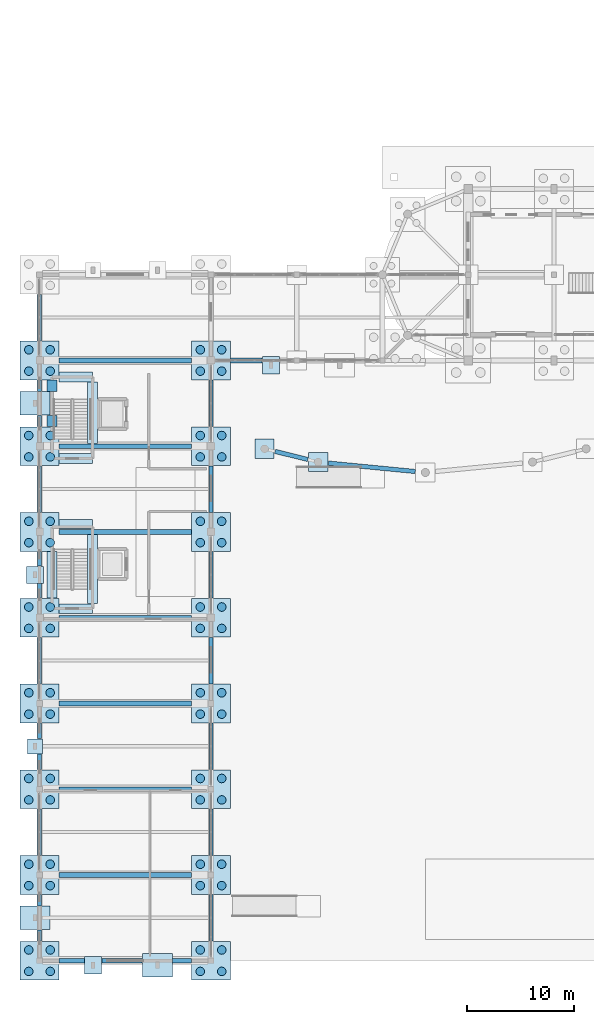
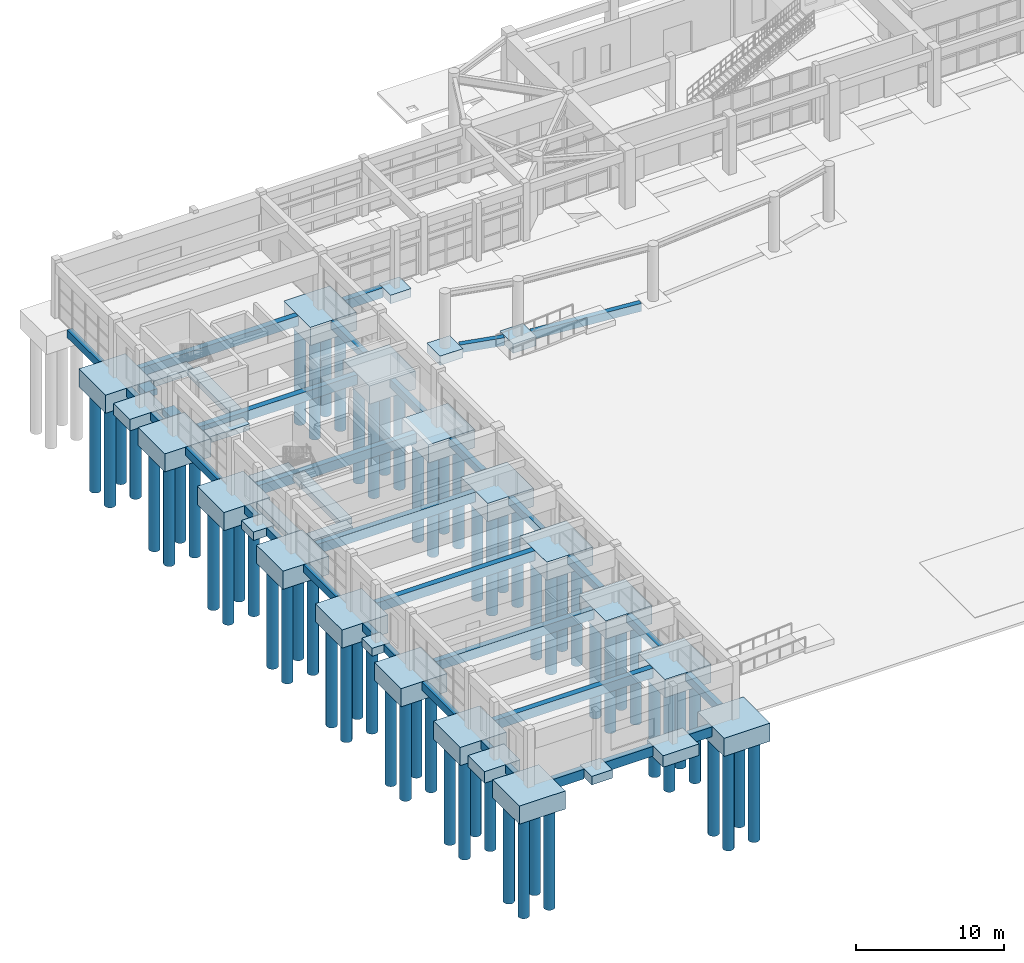
# One storey, part 1 of 68: 66 footings, 64 piles.
"""IFC4 building model written with IfcOpenShell, lengths in metres."""

from ifc_helpers import new_model, si_unit, direction, frame, origin, origin_2d, place, context, subcontext, project, spatial, polyline, rectangle, circle, outline, extrude, material, material_profile, profile_set, type_object, element, save


model = new_model("IFC4")

# Units and contexts
model_context = context("Model", 3, precision=1e-05, world=origin(), true_north=direction((0.0, 1.0)))
body_context = subcontext(model_context, "Body", "Model", "MODEL_VIEW")
ifc_project = project(units=[si_unit("LENGTHUNIT", "METRE"), si_unit("AREAUNIT", "SQUARE_METRE"), si_unit("VOLUMEUNIT", "CUBIC_METRE"), si_unit("PLANEANGLEUNIT", "RADIAN"), si_unit("MASSUNIT", "GRAM", prefix="KILO")], contexts=[model_context])

# Site, building, storey
site_placement = place(None, origin())
site = spatial("IfcSite", under=ifc_project, at=site_placement, CompositionType="ELEMENT")
building_placement = place(site_placement, origin())
building = spatial("IfcBuilding", under=site, at=building_placement, Name="Serraluz Foothill Cableway Terminal", CompositionType="ELEMENT")
storey_placement = place(building_placement, origin())
storey = spatial("IfcBuildingStorey", under=building, at=storey_placement, Name="L00", CompositionType="ELEMENT", Elevation=0.0)

# Footings
ifc_material_1 = material(Name="Concrete C35/45 (f'c 35 MPa)", Category="concrete")
ifc_material_profile_1 = material_profile(ifc_material_1, rectangle(XDim=0.39990234375, YDim=0.64990234375, at=origin_2d()), Name="RC 400x650")
ifc_profile_set_1 = profile_set([ifc_material_profile_1], Name="Concrete C35/45 (f'c 35 MPa)")
footing_type_1 = type_object("IfcFootingType", Name="TYP-FB-400X650", PredefinedType="FOOTING_BEAM", material=ifc_profile_set_1)
for number, where, z_axis, x_axis, name in (
    (1, (0.0, 1.823974609375, -0.324951171875), (0.0, 1.0, 0.0), (-1.0, 0.0, 0.0), "Seismic Tie Footing Beam FB-112"),
    (2, (0.0, 5.1240234375, -0.324951171875), (0.0, 1.0, 0.0), (-1.0, 0.0, 0.0), "Seismic Tie Footing Beam FB-113"),
):
    element("IfcFooting", number, at=place(storey_placement, frame(where, z_axis=z_axis, x_axis=x_axis)), inside=storey, type_object=footing_type_1, Name=name, PredefinedType="FOOTING_BEAM", context=body_context, shape_type="SweptSolid", body=[
        extrude(rectangle(XDim=0.39990234375, YDim=0.64990234375, at=origin_2d()), origin(), (0.0, 0.0, 1.0), 1.052001953125),
    ])
footing_1_placement = place(storey_placement, frame((0.0, 9.823974609375, -0.324951171875), z_axis=(0.0, 1.0, 0.0), x_axis=(-1.0, 0.0, 0.0)))
element("IfcFooting", 3, at=footing_1_placement, inside=storey, type_object=footing_type_1, Name="Seismic Tie Footing Beam FB-114", PredefinedType="FOOTING_BEAM", context=body_context, shape_type="SweptSolid", body=[
    extrude(rectangle(XDim=0.39990234375, YDim=0.64990234375, at=origin_2d()), origin(), (0.0, 0.0, 1.0), 4.35205078125),
])
for number, where, z_axis, x_axis, name in (
    (4, (0.0, 17.823974609375, -0.324951171875), (0.0, 1.0, 0.0), (-1.0, 0.0, 0.0), "Seismic Tie Footing Beam FB-115"),
    (5, (0.0, 20.72412109375, -0.324951171875), (0.0, 1.0, 0.0), (-1.0, 0.0, 0.0), "Seismic Tie Footing Beam FB-116"),
):
    element("IfcFooting", number, at=place(storey_placement, frame(where, z_axis=z_axis, x_axis=x_axis)), inside=storey, type_object=footing_type_1, Name=name, PredefinedType="FOOTING_BEAM", context=body_context, shape_type="SweptSolid", body=[
        extrude(rectangle(XDim=0.39990234375, YDim=0.64990234375, at=origin_2d()), origin(), (0.0, 0.0, 1.0), 1.451904296875),
    ])
footing_2_placement = place(storey_placement, frame((0.0, 25.823974609375, -0.324951171875), z_axis=(0.0, 1.0, 0.0), x_axis=(-1.0, 0.0, 0.0)))
element("IfcFooting", 6, at=footing_2_placement, inside=storey, type_object=footing_type_1, Name="Seismic Tie Footing Beam FB-117", PredefinedType="FOOTING_BEAM", context=body_context, shape_type="SweptSolid", body=[
    extrude(rectangle(XDim=0.39990234375, YDim=0.64990234375, at=origin_2d()), origin(), (0.0, 0.0, 1.0), 4.35205078125),
])
for number, where, z_axis, x_axis, name in (
    (7, (0.0, 33.823974609375, -0.324951171875), (0.0, 1.0, 0.0), (-1.0, 0.0, 0.0), "Seismic Tie Footing Beam FB-118"),
    (8, (0.0, 36.823974609375, -0.324951171875), (0.0, 1.0, 0.0), (-1.0, 0.0, 0.0), "Seismic Tie Footing Beam FB-119"),
):
    element("IfcFooting", number, at=place(storey_placement, frame(where, z_axis=z_axis, x_axis=x_axis)), inside=storey, type_object=footing_type_1, Name=name, PredefinedType="FOOTING_BEAM", context=body_context, shape_type="SweptSolid", body=[
        extrude(rectangle(XDim=0.39990234375, YDim=0.64990234375, at=origin_2d()), origin(), (0.0, 0.0, 1.0), 1.35205078125),
    ])
footing_3_placement = place(storey_placement, frame((0.0, 41.823974609375, -0.324951171875), z_axis=(0.0, 1.0, 0.0), x_axis=(-1.0, 0.0, 0.0)))
element("IfcFooting", 9, at=footing_3_placement, inside=storey, type_object=footing_type_1, Name="Seismic Tie Footing Beam FB-120", PredefinedType="FOOTING_BEAM", context=body_context, shape_type="SweptSolid", body=[
    extrude(rectangle(XDim=0.39990234375, YDim=0.64990234375, at=origin_2d()), origin(), (0.0, 0.0, 1.0), 4.35205078125),
])
for number, where, z_axis, x_axis, name in (
    (10, (0.0, 49.823974609375, -0.324951171875), (0.0, 1.0, 0.0), (-1.0, 0.0, 0.0), "Seismic Tie Footing Beam FB-121"),
    (11, (0.0, 53.1240234375, -0.324951171875), (0.0, 1.0, 0.0), (-1.0, 0.0, 0.0), "Seismic Tie Footing Beam FB-122"),
):
    element("IfcFooting", number, at=place(storey_placement, frame(where, z_axis=z_axis, x_axis=x_axis)), inside=storey, type_object=footing_type_1, Name=name, PredefinedType="FOOTING_BEAM", context=body_context, shape_type="SweptSolid", body=[
        extrude(rectangle(XDim=0.39990234375, YDim=0.64990234375, at=origin_2d()), origin(), (0.0, 0.0, 1.0), 1.052001953125),
    ])
for number, where, z_axis, x_axis, name in (
    (12, (0.0, 57.823974609375, -0.324951171875), (0.0, 1.0, 0.0), (-1.0, 0.0, 0.0), "Seismic Tie Footing Beam FB-123"),
    (13, (16.0, 1.823974609375, -0.324951171875), (0.0, 1.0, 0.0), (-1.0, 0.0, 0.0), "Seismic Tie Footing Beam FB-124"),
    (14, (16.0, 9.823974609375, -0.324951171875), (0.0, 1.0, 0.0), (-1.0, 0.0, 0.0), "Seismic Tie Footing Beam FB-125"),
    (15, (16.0, 17.823974609375, -0.324951171875), (0.0, 1.0, 0.0), (-1.0, 0.0, 0.0), "Seismic Tie Footing Beam FB-126"),
    (16, (16.0, 25.823974609375, -0.324951171875), (0.0, 1.0, 0.0), (-1.0, 0.0, 0.0), "Seismic Tie Footing Beam FB-127"),
    (17, (16.0, 33.823974609375, -0.324951171875), (0.0, 1.0, 0.0), (-1.0, 0.0, 0.0), "Seismic Tie Footing Beam FB-128"),
    (18, (16.0, 41.823974609375, -0.324951171875), (0.0, 1.0, 0.0), (-1.0, 0.0, 0.0), "Seismic Tie Footing Beam FB-129"),
    (19, (16.0, 49.823974609375, -0.324951171875), (0.0, 1.0, 0.0), (-1.0, 0.0, 0.0), "Seismic Tie Footing Beam FB-130"),
):
    element("IfcFooting", number, at=place(storey_placement, frame(where, z_axis=z_axis, x_axis=x_axis)), inside=storey, type_object=footing_type_1, Name=name, PredefinedType="FOOTING_BEAM", context=body_context, shape_type="SweptSolid", body=[
        extrude(rectangle(XDim=0.39990234375, YDim=0.64990234375, at=origin_2d()), origin(), (0.0, 0.0, 1.0), 4.35205078125),
    ])
footing_4_placement = place(storey_placement, frame((21.977294921875, 47.51806640625, -0.324951171875), z_axis=(0.970607565499, -0.240667724875, 0.0), x_axis=(0.240667724875, 0.970607565499, 0.0)))
element("IfcFooting", 20, at=footing_4_placement, inside=storey, type_object=footing_type_1, Name="Seismic Tie Footing Beam FB-CAN-01", PredefinedType="FOOTING_BEAM", context=body_context, shape_type="SweptSolid", body=[
    extrude(rectangle(XDim=0.39990234375, YDim=0.64990234375, at=origin_2d()), origin(), (0.0, 0.0, 1.0), 3.1376953125),
])
footing_5_placement = place(storey_placement, frame((26.945556640625, 46.4287109375, -0.324951171875), z_axis=(0.995324863023, -0.096583730762, 0.0), x_axis=(0.096583730762, 0.995324863023, 0.0)))
element("IfcFooting", 21, at=footing_5_placement, inside=storey, type_object=footing_type_1, Name="Seismic Tie Footing Beam FB-CAN-02", PredefinedType="FOOTING_BEAM", context=body_context, shape_type="SweptSolid", body=[
    extrude(rectangle(XDim=0.39990234375, YDim=0.64990234375, at=origin_2d()), origin(), (0.0, 0.0, 1.0), 8.14697265625),
])
ifc_material_profile_2 = material_profile(ifc_material_1, rectangle(XDim=0.449951171875, YDim=0.800048828125, at=origin_2d()), Name="RC 450x800")
ifc_profile_set_2 = profile_set([ifc_material_profile_2], Name="Concrete C35/45 (f'c 35 MPa)")
footing_type_2 = type_object("IfcFootingType", Name="TYP-FB-450X700", PredefinedType="FOOTING_BEAM", material=ifc_profile_set_2)
footing_6_placement = place(storey_placement, frame((1.823974609375, 0.0, -0.39990234375), z_axis=(1.0, 0.0, 0.0), x_axis=(0.0, 1.0, 0.0)))
element("IfcFooting", 22, at=footing_6_placement, inside=storey, type_object=footing_type_2, Name="Seismic Tie Footing Beam FB-028", PredefinedType="FOOTING_BEAM", context=body_context, shape_type="SweptSolid", body=[
    extrude(rectangle(XDim=0.449951171875, YDim=0.800048828125, at=origin_2d()), origin(), (0.0, 0.0, 1.0), 2.35205078125),
])
footing_7_placement = place(storey_placement, frame((5.823974609375, 0.0, -0.39990234375), z_axis=(1.0, 0.0, 0.0), x_axis=(0.0, 1.0, 0.0)))
element("IfcFooting", 23, at=footing_7_placement, inside=storey, type_object=footing_type_2, Name="Seismic Tie Footing Beam FB-029", PredefinedType="FOOTING_BEAM", context=body_context, shape_type="SweptSolid", body=[
    extrude(rectangle(XDim=0.449951171875, YDim=0.800048828125, at=origin_2d()), origin(), (0.0, 0.0, 1.0), 3.751953125),
])
footing_8_placement = place(storey_placement, frame((12.424072265625, 0.0, -0.39990234375), z_axis=(1.0, 0.0, 0.0), x_axis=(0.0, 1.0, 0.0)))
element("IfcFooting", 24, at=footing_8_placement, inside=storey, type_object=footing_type_2, Name="Seismic Tie Footing Beam FB-030", PredefinedType="FOOTING_BEAM", context=body_context, shape_type="SweptSolid", body=[
    extrude(rectangle(XDim=0.449951171875, YDim=0.800048828125, at=origin_2d()), origin(), (0.0, 0.0, 1.0), 1.751953125),
])
for number, where, z_axis, x_axis, name in (
    (25, (1.823974609375, 8.0, -0.39990234375), (1.0, 0.0, 0.0), (0.0, 1.0, 0.0), "Seismic Tie Footing Beam FB-037"),
    (26, (1.823974609375, 16.0, -0.39990234375), (1.0, 0.0, 0.0), (0.0, 1.0, 0.0), "Seismic Tie Footing Beam FB-038"),
    (27, (1.823974609375, 24.0, -0.39990234375), (1.0, 0.0, 0.0), (0.0, 1.0, 0.0), "Seismic Tie Footing Beam FB-048"),
    (28, (1.823974609375, 32.0, -0.39990234375), (1.0, 0.0, 0.0), (0.0, 1.0, 0.0), "Seismic Tie Footing Beam FB-050"),
    (29, (1.823974609375, 40.0, -0.39990234375), (1.0, 0.0, 0.0), (0.0, 1.0, 0.0), "Seismic Tie Footing Beam FB-052"),
    (30, (1.823974609375, 48.0, -0.39990234375), (1.0, 0.0, 0.0), (0.0, 1.0, 0.0), "Seismic Tie Footing Beam FB-059"),
    (31, (1.823974609375, 56.0, -0.39990234375), (1.0, 0.0, 0.0), (0.0, 1.0, 0.0), "Seismic Tie Footing Beam FB-061"),
):
    element("IfcFooting", number, at=place(storey_placement, frame(where, z_axis=z_axis, x_axis=x_axis)), inside=storey, type_object=footing_type_2, Name=name, PredefinedType="FOOTING_BEAM", context=body_context, shape_type="SweptSolid", body=[
        extrude(rectangle(XDim=0.449951171875, YDim=0.800048828125, at=origin_2d()), origin(), (0.0, 0.0, 1.0), 12.35205078125),
    ])
footing_9_placement = place(storey_placement, frame((17.823974609375, 56.0, -0.39990234375), z_axis=(1.0, 0.0, 0.0), x_axis=(0.0, 1.0, 0.0)))
element("IfcFooting", 32, at=footing_9_placement, inside=storey, type_object=footing_type_2, Name="Seismic Tie Footing Beam FB-062", PredefinedType="FOOTING_BEAM", context=body_context, shape_type="SweptSolid", body=[
    extrude(rectangle(XDim=0.449951171875, YDim=0.800048828125, at=origin_2d()), origin(), (0.0, 0.0, 1.0), 2.951904296875),
])
footing_type_3 = type_object("IfcFootingType", Name="TYP-PAD-1400X1400X650", PredefinedType="PAD_FOOTING", material=ifc_material_1)
footing_10_placement = place(storey_placement, frame((-0.419921875, 20.0, -0.64990234375), z_axis=(0.0, 0.0, 1.0), x_axis=(1.0, 0.0, 0.0)))
element("IfcFooting", 33, at=footing_10_placement, inside=storey, type_object=footing_type_3, Name="Pilaster Pad Footing 39", PredefinedType="PAD_FOOTING", context=body_context, shape_type="SweptSolid", body=[
    extrude(rectangle(XDim=1.39990234375, YDim=1.39990234375, at=origin_2d()), origin(), (0.0, 0.0, 1.0), 0.64990234375),
])
footing_type_4 = type_object("IfcFootingType", Name="TYP-PAD-1600X1600X700", PredefinedType="PAD_FOOTING", material=ifc_material_1)
for number, where, z_axis, x_axis, name in (
    (34, (21.60009765625, 55.56005859375, -0.7001953125), (0.0, 0.0, 1.0), (1.0, 0.0, 0.0), "Pilaster Pad Footing 31"),
    (35, (5.0, -0.419921875, -0.7001953125), (0.0, 0.0, 1.0), (1.0, 0.0, 0.0), "Pilaster Pad Footing 34"),
    (36, (-0.419921875, 36.0, -0.7001953125), (0.0, 0.0, 1.0), (1.0, 0.0, 0.0), "Pilaster Pad Footing 40"),
):
    element("IfcFooting", number, at=place(storey_placement, frame(where, z_axis=z_axis, x_axis=x_axis)), inside=storey, type_object=footing_type_4, Name=name, PredefinedType="PAD_FOOTING", context=body_context, shape_type="SweptSolid", body=[
        extrude(rectangle(XDim=1.60009765625, YDim=1.60009765625, at=origin_2d()), origin(), (0.0, 0.0, 1.0), 0.699951171875),
    ])
footing_type_5 = type_object("IfcFootingType", Name="TYP-PAD-1800X1800X750", PredefinedType="PAD_FOOTING", material=ifc_material_1)
for number, where, z_axis, x_axis, name in (
    (37, (21.0, 47.760498046875, -0.75), (0.0, 0.0, 1.0), (1.0, 0.0, 0.0), "Canopy Pad Footing FTG-CAN-1"),
    (38, (26.0, 46.5205078125, -0.75), (0.0, 0.0, 1.0), (1.0, 0.0, 0.0), "Canopy Pad Footing FTG-CAN-2"),
):
    element("IfcFooting", number, at=place(storey_placement, frame(where, z_axis=z_axis, x_axis=x_axis)), inside=storey, type_object=footing_type_5, Name=name, PredefinedType="PAD_FOOTING", context=body_context, shape_type="SweptSolid", body=[
        extrude(rectangle(XDim=1.800048828125, YDim=1.800048828125, at=origin_2d()), origin(), (0.0, 0.0, 1.0), 0.75),
    ])
footing_type_6 = type_object("IfcFootingType", Name="TYP-PAD-2800X2200X950", PredefinedType="PAD_FOOTING", material=ifc_material_1)
for number, where, z_axis, x_axis, name in (
    (39, (11.0, -0.419921875, -0.9501953125), (0.0, 0.0, 1.0), (1.0, 0.0, 0.0), "Pilaster Pad Footing 35"),
    (40, (-0.419921875, 4.0, -0.9501953125), (0.0, 0.0, 1.0), (1.0, 0.0, 0.0), "Pilaster Pad Footing 38"),
    (41, (-0.419921875, 52.0, -0.9501953125), (0.0, 0.0, 1.0), (1.0, 0.0, 0.0), "Pilaster Pad Footing 41"),
):
    element("IfcFooting", number, at=place(storey_placement, frame(where, z_axis=z_axis, x_axis=x_axis)), inside=storey, type_object=footing_type_6, Name=name, PredefinedType="PAD_FOOTING", context=body_context, shape_type="SweptSolid", body=[
        extrude(rectangle(XDim=2.800048828125, YDim=2.199951171875, at=origin_2d()), origin(), (0.0, 0.0, 1.0), 0.949951171875),
    ])
footing_type_7 = type_object("IfcFootingType", Name="TYP-PC-3600X3600X1500", PredefinedType="PILE_CAP", material=ifc_material_1)
footing_11_placement = place(storey_placement, frame((0.0, 0.0, -1.5)))
element("IfcFooting", 42, at=footing_11_placement, inside=storey, type_object=footing_type_7, Name="Pile Cap FTG-PC-L00-068", PredefinedType="PILE_CAP", context=body_context, shape_type="SweptSolid", body=[
    extrude(outline(polyline([(-1.800048828125, -1.800048828125), (1.800048828125, -1.800048828125), (1.800048828125, 1.800048828125), (-1.800048828125, 1.800048828125), (-1.800048828125, -1.800048828125)])), origin(), (0.0, 0.0, 1.0), 1.5),
])
footing_12_placement = place(storey_placement, frame((0.0, 0.0, -1.5)))
element("IfcFooting", 43, at=footing_12_placement, inside=storey, type_object=footing_type_7, Name="Pile Cap FTG-PC-L00-069", PredefinedType="PILE_CAP", context=body_context, shape_type="SweptSolid", body=[
    extrude(outline(polyline([(14.199951171875, -1.800048828125), (17.800048828125, -1.800048828125), (17.800048828125, 1.800048828125), (14.199951171875, 1.800048828125), (14.199951171875, -1.800048828125)])), origin(), (0.0, 0.0, 1.0), 1.5),
])
footing_13_placement = place(storey_placement, frame((0.0, 0.0, -1.5)))
element("IfcFooting", 44, at=footing_13_placement, inside=storey, type_object=footing_type_7, Name="Pile Cap FTG-PC-L00-070", PredefinedType="PILE_CAP", context=body_context, shape_type="SweptSolid", body=[
    extrude(outline(polyline([(-1.800048828125, 6.199951171875), (1.800048828125, 6.199951171875), (1.800048828125, 9.800048828125), (-1.800048828125, 9.800048828125), (-1.800048828125, 6.199951171875)])), origin(), (0.0, 0.0, 1.0), 1.5),
])
footing_14_placement = place(storey_placement, frame((0.0, 0.0, -1.5)))
element("IfcFooting", 45, at=footing_14_placement, inside=storey, type_object=footing_type_7, Name="Pile Cap FTG-PC-L00-071", PredefinedType="PILE_CAP", context=body_context, shape_type="SweptSolid", body=[
    extrude(outline(polyline([(14.199951171875, 6.199951171875), (17.800048828125, 6.199951171875), (17.800048828125, 9.800048828125), (14.199951171875, 9.800048828125), (14.199951171875, 6.199951171875)])), origin(), (0.0, 0.0, 1.0), 1.5),
])
footing_15_placement = place(storey_placement, frame((0.0, 0.0, -1.5)))
element("IfcFooting", 46, at=footing_15_placement, inside=storey, type_object=footing_type_7, Name="Pile Cap FTG-PC-L00-072", PredefinedType="PILE_CAP", context=body_context, shape_type="SweptSolid", body=[
    extrude(outline(polyline([(-1.800048828125, 14.199951171875), (1.800048828125, 14.199951171875), (1.800048828125, 17.800048828125), (-1.800048828125, 17.800048828125), (-1.800048828125, 14.199951171875)])), origin(), (0.0, 0.0, 1.0), 1.5),
])
footing_16_placement = place(storey_placement, frame((0.0, 0.0, -1.5)))
element("IfcFooting", 47, at=footing_16_placement, inside=storey, type_object=footing_type_7, Name="Pile Cap FTG-PC-L00-073", PredefinedType="PILE_CAP", context=body_context, shape_type="SweptSolid", body=[
    extrude(outline(polyline([(14.199951171875, 14.199951171875), (17.800048828125, 14.199951171875), (17.800048828125, 17.800048828125), (14.199951171875, 17.800048828125), (14.199951171875, 14.199951171875)])), origin(), (0.0, 0.0, 1.0), 1.5),
])
footing_17_placement = place(storey_placement, frame((0.0, 0.0, -1.5)))
element("IfcFooting", 48, at=footing_17_placement, inside=storey, type_object=footing_type_7, Name="Pile Cap FTG-PC-L00-074", PredefinedType="PILE_CAP", context=body_context, shape_type="SweptSolid", body=[
    extrude(outline(polyline([(-1.800048828125, 22.199951171875), (1.800048828125, 22.199951171875), (1.800048828125, 25.800048828125), (-1.800048828125, 25.800048828125), (-1.800048828125, 22.199951171875)])), origin(), (0.0, 0.0, 1.0), 1.5),
])
footing_18_placement = place(storey_placement, frame((0.0, 0.0, -1.5)))
element("IfcFooting", 49, at=footing_18_placement, inside=storey, type_object=footing_type_7, Name="Pile Cap FTG-PC-L00-075", PredefinedType="PILE_CAP", context=body_context, shape_type="SweptSolid", body=[
    extrude(outline(polyline([(14.199951171875, 22.199951171875), (17.800048828125, 22.199951171875), (17.800048828125, 25.800048828125), (14.199951171875, 25.800048828125), (14.199951171875, 22.199951171875)])), origin(), (0.0, 0.0, 1.0), 1.5),
])
footing_19_placement = place(storey_placement, frame((0.0, 0.0, -1.5)))
element("IfcFooting", 50, at=footing_19_placement, inside=storey, type_object=footing_type_7, Name="Pile Cap FTG-PC-L00-076", PredefinedType="PILE_CAP", context=body_context, shape_type="SweptSolid", body=[
    extrude(outline(polyline([(-1.800048828125, 30.199951171875), (1.800048828125, 30.199951171875), (1.800048828125, 33.800048828125), (-1.800048828125, 33.800048828125), (-1.800048828125, 30.199951171875)])), origin(), (0.0, 0.0, 1.0), 1.5),
])
footing_20_placement = place(storey_placement, frame((0.0, 0.0, -1.5)))
element("IfcFooting", 51, at=footing_20_placement, inside=storey, type_object=footing_type_7, Name="Pile Cap FTG-PC-L00-077", PredefinedType="PILE_CAP", context=body_context, shape_type="SweptSolid", body=[
    extrude(outline(polyline([(14.199951171875, 30.199951171875), (17.800048828125, 30.199951171875), (17.800048828125, 33.800048828125), (14.199951171875, 33.800048828125), (14.199951171875, 30.199951171875)])), origin(), (0.0, 0.0, 1.0), 1.5),
])
footing_21_placement = place(storey_placement, frame((0.0, 0.0, -1.5)))
element("IfcFooting", 52, at=footing_21_placement, inside=storey, type_object=footing_type_7, Name="Pile Cap FTG-PC-L00-078", PredefinedType="PILE_CAP", context=body_context, shape_type="SweptSolid", body=[
    extrude(outline(polyline([(-1.800048828125, 38.199951171875), (1.800048828125, 38.199951171875), (1.800048828125, 41.800048828125), (-1.800048828125, 41.800048828125), (-1.800048828125, 38.199951171875)])), origin(), (0.0, 0.0, 1.0), 1.5),
])
footing_22_placement = place(storey_placement, frame((0.0, 0.0, -1.5)))
element("IfcFooting", 53, at=footing_22_placement, inside=storey, type_object=footing_type_7, Name="Pile Cap FTG-PC-L00-079", PredefinedType="PILE_CAP", context=body_context, shape_type="SweptSolid", body=[
    extrude(outline(polyline([(14.199951171875, 38.199951171875), (17.800048828125, 38.199951171875), (17.800048828125, 41.800048828125), (14.199951171875, 41.800048828125), (14.199951171875, 38.199951171875)])), origin(), (0.0, 0.0, 1.0), 1.5),
])
footing_23_placement = place(storey_placement, frame((0.0, 0.0, -1.5)))
element("IfcFooting", 54, at=footing_23_placement, inside=storey, type_object=footing_type_7, Name="Pile Cap FTG-PC-L00-080", PredefinedType="PILE_CAP", context=body_context, shape_type="SweptSolid", body=[
    extrude(outline(polyline([(-1.800048828125, 46.199951171875), (1.800048828125, 46.199951171875), (1.800048828125, 49.800048828125), (-1.800048828125, 49.800048828125), (-1.800048828125, 46.199951171875)])), origin(), (0.0, 0.0, 1.0), 1.5),
])
footing_24_placement = place(storey_placement, frame((0.0, 0.0, -1.5)))
element("IfcFooting", 55, at=footing_24_placement, inside=storey, type_object=footing_type_7, Name="Pile Cap FTG-PC-L00-081", PredefinedType="PILE_CAP", context=body_context, shape_type="SweptSolid", body=[
    extrude(outline(polyline([(14.199951171875, 46.199951171875), (17.800048828125, 46.199951171875), (17.800048828125, 49.800048828125), (14.199951171875, 49.800048828125), (14.199951171875, 46.199951171875)])), origin(), (0.0, 0.0, 1.0), 1.5),
])
footing_25_placement = place(storey_placement, frame((0.0, 0.0, -1.5)))
element("IfcFooting", 56, at=footing_25_placement, inside=storey, type_object=footing_type_7, Name="Pile Cap FTG-PC-L00-082", PredefinedType="PILE_CAP", context=body_context, shape_type="SweptSolid", body=[
    extrude(outline(polyline([(-1.800048828125, 54.199951171875), (1.800048828125, 54.199951171875), (1.800048828125, 57.800048828125), (-1.800048828125, 57.800048828125), (-1.800048828125, 54.199951171875)])), origin(), (0.0, 0.0, 1.0), 1.5),
])
footing_26_placement = place(storey_placement, frame((0.0, 0.0, -1.5)))
element("IfcFooting", 57, at=footing_26_placement, inside=storey, type_object=footing_type_7, Name="Pile Cap FTG-PC-L00-083", PredefinedType="PILE_CAP", context=body_context, shape_type="SweptSolid", body=[
    extrude(outline(polyline([(14.199951171875, 54.199951171875), (17.800048828125, 54.199951171875), (17.800048828125, 57.800048828125), (14.199951171875, 57.800048828125), (14.199951171875, 54.199951171875)])), origin(), (0.0, 0.0, 1.0), 1.5),
])

# Piles
ifc_material_2 = material(Name="Concrete C28/35 (f'c 28 MPa)", Category="concrete")
ifc_material_profile_3 = material_profile(ifc_material_2, circle(Radius=0.39990234375, at=origin_2d()), Name="BORED PILE D800")
ifc_profile_set_3 = profile_set([ifc_material_profile_3], Name="Concrete C28/35 (f'c 28 MPa)")
pile_type = type_object("IfcPileType", Name="TYP-PILE-D800", PredefinedType="BORED", material=ifc_profile_set_3)
for number, where, z_axis, x_axis, name in (
    (58, (-1.0, -1.0, -1.39990234375), (0.0, 0.0, -1.0), (1.0, 0.0, 0.0), "Bored Pile PIL-L00-068-01"),
    (59, (-1.0, 1.0, -1.39990234375), (0.0, 0.0, -1.0), (1.0, 0.0, 0.0), "Bored Pile PIL-L00-068-02"),
    (60, (1.0, -1.0, -1.39990234375), (0.0, 0.0, -1.0), (1.0, 0.0, 0.0), "Bored Pile PIL-L00-068-03"),
    (61, (1.0, 1.0, -1.39990234375), (0.0, 0.0, -1.0), (1.0, 0.0, 0.0), "Bored Pile PIL-L00-068-04"),
    (62, (15.0, -1.0, -1.39990234375), (0.0, 0.0, -1.0), (1.0, 0.0, 0.0), "Bored Pile PIL-L00-069-01"),
    (63, (15.0, 1.0, -1.39990234375), (0.0, 0.0, -1.0), (1.0, 0.0, 0.0), "Bored Pile PIL-L00-069-02"),
    (64, (17.0, -1.0, -1.39990234375), (0.0, 0.0, -1.0), (1.0, 0.0, 0.0), "Bored Pile PIL-L00-069-03"),
    (65, (17.0, 1.0, -1.39990234375), (0.0, 0.0, -1.0), (1.0, 0.0, 0.0), "Bored Pile PIL-L00-069-04"),
    (66, (-1.0, 7.0, -1.39990234375), (0.0, 0.0, -1.0), (1.0, 0.0, 0.0), "Bored Pile PIL-L00-070-01"),
    (67, (-1.0, 9.0, -1.39990234375), (0.0, 0.0, -1.0), (1.0, 0.0, 0.0), "Bored Pile PIL-L00-070-02"),
    (68, (1.0, 7.0, -1.39990234375), (0.0, 0.0, -1.0), (1.0, 0.0, 0.0), "Bored Pile PIL-L00-070-03"),
    (69, (1.0, 9.0, -1.39990234375), (0.0, 0.0, -1.0), (1.0, 0.0, 0.0), "Bored Pile PIL-L00-070-04"),
    (70, (15.0, 7.0, -1.39990234375), (0.0, 0.0, -1.0), (1.0, 0.0, 0.0), "Bored Pile PIL-L00-071-01"),
    (71, (15.0, 9.0, -1.39990234375), (0.0, 0.0, -1.0), (1.0, 0.0, 0.0), "Bored Pile PIL-L00-071-02"),
    (72, (17.0, 7.0, -1.39990234375), (0.0, 0.0, -1.0), (1.0, 0.0, 0.0), "Bored Pile PIL-L00-071-03"),
    (73, (17.0, 9.0, -1.39990234375), (0.0, 0.0, -1.0), (1.0, 0.0, 0.0), "Bored Pile PIL-L00-071-04"),
    (74, (-1.0, 15.0, -1.39990234375), (0.0, 0.0, -1.0), (1.0, 0.0, 0.0), "Bored Pile PIL-L00-072-01"),
    (75, (-1.0, 17.0, -1.39990234375), (0.0, 0.0, -1.0), (1.0, 0.0, 0.0), "Bored Pile PIL-L00-072-02"),
    (76, (1.0, 15.0, -1.39990234375), (0.0, 0.0, -1.0), (1.0, 0.0, 0.0), "Bored Pile PIL-L00-072-03"),
    (77, (1.0, 17.0, -1.39990234375), (0.0, 0.0, -1.0), (1.0, 0.0, 0.0), "Bored Pile PIL-L00-072-04"),
    (78, (15.0, 15.0, -1.39990234375), (0.0, 0.0, -1.0), (1.0, 0.0, 0.0), "Bored Pile PIL-L00-073-01"),
    (79, (15.0, 17.0, -1.39990234375), (0.0, 0.0, -1.0), (1.0, 0.0, 0.0), "Bored Pile PIL-L00-073-02"),
    (80, (17.0, 15.0, -1.39990234375), (0.0, 0.0, -1.0), (1.0, 0.0, 0.0), "Bored Pile PIL-L00-073-03"),
    (81, (17.0, 17.0, -1.39990234375), (0.0, 0.0, -1.0), (1.0, 0.0, 0.0), "Bored Pile PIL-L00-073-04"),
    (82, (-1.0, 23.0, -1.39990234375), (0.0, 0.0, -1.0), (1.0, 0.0, 0.0), "Bored Pile PIL-L00-074-01"),
    (83, (-1.0, 25.0, -1.39990234375), (0.0, 0.0, -1.0), (1.0, 0.0, 0.0), "Bored Pile PIL-L00-074-02"),
    (84, (1.0, 23.0, -1.39990234375), (0.0, 0.0, -1.0), (1.0, 0.0, 0.0), "Bored Pile PIL-L00-074-03"),
    (85, (1.0, 25.0, -1.39990234375), (0.0, 0.0, -1.0), (1.0, 0.0, 0.0), "Bored Pile PIL-L00-074-04"),
    (86, (15.0, 23.0, -1.39990234375), (0.0, 0.0, -1.0), (1.0, 0.0, 0.0), "Bored Pile PIL-L00-075-01"),
    (87, (15.0, 25.0, -1.39990234375), (0.0, 0.0, -1.0), (1.0, 0.0, 0.0), "Bored Pile PIL-L00-075-02"),
    (88, (17.0, 23.0, -1.39990234375), (0.0, 0.0, -1.0), (1.0, 0.0, 0.0), "Bored Pile PIL-L00-075-03"),
    (89, (17.0, 25.0, -1.39990234375), (0.0, 0.0, -1.0), (1.0, 0.0, 0.0), "Bored Pile PIL-L00-075-04"),
    (90, (-1.0, 31.0, -1.39990234375), (0.0, 0.0, -1.0), (1.0, 0.0, 0.0), "Bored Pile PIL-L00-076-01"),
    (91, (-1.0, 33.0, -1.39990234375), (0.0, 0.0, -1.0), (1.0, 0.0, 0.0), "Bored Pile PIL-L00-076-02"),
    (92, (1.0, 31.0, -1.39990234375), (0.0, 0.0, -1.0), (1.0, 0.0, 0.0), "Bored Pile PIL-L00-076-03"),
    (93, (1.0, 33.0, -1.39990234375), (0.0, 0.0, -1.0), (1.0, 0.0, 0.0), "Bored Pile PIL-L00-076-04"),
    (94, (15.0, 31.0, -1.39990234375), (0.0, 0.0, -1.0), (1.0, 0.0, 0.0), "Bored Pile PIL-L00-077-01"),
    (95, (15.0, 33.0, -1.39990234375), (0.0, 0.0, -1.0), (1.0, 0.0, 0.0), "Bored Pile PIL-L00-077-02"),
    (96, (17.0, 31.0, -1.39990234375), (0.0, 0.0, -1.0), (1.0, 0.0, 0.0), "Bored Pile PIL-L00-077-03"),
    (97, (17.0, 33.0, -1.39990234375), (0.0, 0.0, -1.0), (1.0, 0.0, 0.0), "Bored Pile PIL-L00-077-04"),
    (98, (-1.0, 39.0, -1.39990234375), (0.0, 0.0, -1.0), (1.0, 0.0, 0.0), "Bored Pile PIL-L00-078-01"),
    (99, (-1.0, 41.0, -1.39990234375), (0.0, 0.0, -1.0), (1.0, 0.0, 0.0), "Bored Pile PIL-L00-078-02"),
    (100, (1.0, 39.0, -1.39990234375), (0.0, 0.0, -1.0), (1.0, 0.0, 0.0), "Bored Pile PIL-L00-078-03"),
    (101, (1.0, 41.0, -1.39990234375), (0.0, 0.0, -1.0), (1.0, 0.0, 0.0), "Bored Pile PIL-L00-078-04"),
    (102, (15.0, 39.0, -1.39990234375), (0.0, 0.0, -1.0), (1.0, 0.0, 0.0), "Bored Pile PIL-L00-079-01"),
    (103, (15.0, 41.0, -1.39990234375), (0.0, 0.0, -1.0), (1.0, 0.0, 0.0), "Bored Pile PIL-L00-079-02"),
    (104, (17.0, 39.0, -1.39990234375), (0.0, 0.0, -1.0), (1.0, 0.0, 0.0), "Bored Pile PIL-L00-079-03"),
    (105, (17.0, 41.0, -1.39990234375), (0.0, 0.0, -1.0), (1.0, 0.0, 0.0), "Bored Pile PIL-L00-079-04"),
    (106, (-1.0, 47.0, -1.39990234375), (0.0, 0.0, -1.0), (1.0, 0.0, 0.0), "Bored Pile PIL-L00-080-01"),
    (107, (-1.0, 49.0, -1.39990234375), (0.0, 0.0, -1.0), (1.0, 0.0, 0.0), "Bored Pile PIL-L00-080-02"),
    (108, (1.0, 47.0, -1.39990234375), (0.0, 0.0, -1.0), (1.0, 0.0, 0.0), "Bored Pile PIL-L00-080-03"),
    (109, (1.0, 49.0, -1.39990234375), (0.0, 0.0, -1.0), (1.0, 0.0, 0.0), "Bored Pile PIL-L00-080-04"),
    (110, (15.0, 47.0, -1.39990234375), (0.0, 0.0, -1.0), (1.0, 0.0, 0.0), "Bored Pile PIL-L00-081-01"),
    (111, (15.0, 49.0, -1.39990234375), (0.0, 0.0, -1.0), (1.0, 0.0, 0.0), "Bored Pile PIL-L00-081-02"),
    (112, (17.0, 47.0, -1.39990234375), (0.0, 0.0, -1.0), (1.0, 0.0, 0.0), "Bored Pile PIL-L00-081-03"),
    (113, (17.0, 49.0, -1.39990234375), (0.0, 0.0, -1.0), (1.0, 0.0, 0.0), "Bored Pile PIL-L00-081-04"),
    (114, (-1.0, 55.0, -1.39990234375), (0.0, 0.0, -1.0), (1.0, 0.0, 0.0), "Bored Pile PIL-L00-082-01"),
    (115, (-1.0, 57.0, -1.39990234375), (0.0, 0.0, -1.0), (1.0, 0.0, 0.0), "Bored Pile PIL-L00-082-02"),
    (116, (1.0, 55.0, -1.39990234375), (0.0, 0.0, -1.0), (1.0, 0.0, 0.0), "Bored Pile PIL-L00-082-03"),
    (117, (1.0, 57.0, -1.39990234375), (0.0, 0.0, -1.0), (1.0, 0.0, 0.0), "Bored Pile PIL-L00-082-04"),
    (118, (15.0, 55.0, -1.39990234375), (0.0, 0.0, -1.0), (1.0, 0.0, 0.0), "Bored Pile PIL-L00-083-01"),
    (119, (15.0, 57.0, -1.39990234375), (0.0, 0.0, -1.0), (1.0, 0.0, 0.0), "Bored Pile PIL-L00-083-02"),
    (120, (17.0, 55.0, -1.39990234375), (0.0, 0.0, -1.0), (1.0, 0.0, 0.0), "Bored Pile PIL-L00-083-03"),
    (121, (17.0, 57.0, -1.39990234375), (0.0, 0.0, -1.0), (1.0, 0.0, 0.0), "Bored Pile PIL-L00-083-04"),
):
    element("IfcPile", number, at=place(storey_placement, frame(where, z_axis=z_axis, x_axis=x_axis)), inside=storey, type_object=pile_type, Name=name, PredefinedType="BORED", context=body_context, shape_type="SweptSolid", body=[
        extrude(circle(Radius=0.39990234375, at=origin_2d()), origin(), (0.0, 0.0, 1.0), 8.39990234375),
    ])

# Footings
ifc_material_profile_4 = material_profile(ifc_material_1, rectangle(XDim=0.89990234375, YDim=0.5, at=origin_2d()), Name="SF 900x500")
ifc_profile_set_4 = profile_set([ifc_material_profile_4], Name="Concrete C35/45 (f'c 35 MPa)")
footing_type_8 = type_object("IfcFootingType", Name="TYP-SF-900X500", PredefinedType="STRIP_FOOTING", material=ifc_profile_set_4)
for number, where, z_axis, x_axis, name in (
    (122, (1.823974609375, 46.85009765625, -0.25), (1.0, 0.0, 0.0), (0.0, 1.0, 0.0), "Continuous Strip Footing SF-CORE-1-S"),
    (123, (1.823974609375, 54.4599609375, -0.25), (1.0, 0.0, 0.0), (0.0, 1.0, 0.0), "Continuous Strip Footing SF-CORE-1-N"),
):
    element("IfcFooting", number, at=place(storey_placement, frame(where, z_axis=z_axis, x_axis=x_axis)), inside=storey, type_object=footing_type_8, Name=name, PredefinedType="STRIP_FOOTING", context=body_context, shape_type="SweptSolid", body=[
        extrude(rectangle(XDim=0.89990234375, YDim=0.5, at=origin_2d()), origin(), (0.0, 0.0, 1.0), 3.1259765625),
    ])
for number, where, z_axis, x_axis, name in (
    (124, (1.169921875, 49.823974609375, -0.25), (0.0, 1.0, 0.0), (-1.0, 0.0, 0.0), "Continuous Strip Footing SF-CORE-1-W-1"),
    (125, (1.169921875, 53.1240234375, -0.25), (0.0, 1.0, 0.0), (-1.0, 0.0, 0.0), "Continuous Strip Footing SF-CORE-1-W-2"),
):
    element("IfcFooting", number, at=place(storey_placement, frame(where, z_axis=z_axis, x_axis=x_axis)), inside=storey, type_object=footing_type_8, Name=name, PredefinedType="STRIP_FOOTING", context=body_context, shape_type="SweptSolid", body=[
        extrude(rectangle(XDim=0.89990234375, YDim=0.5, at=origin_2d()), origin(), (0.0, 0.0, 1.0), 1.052001953125),
    ])
footing_27_placement = place(storey_placement, frame((4.949951171875, 48.2490234375, -0.25), z_axis=(0.0, 1.0, 0.0), x_axis=(-1.0, 0.0, 0.0)))
element("IfcFooting", 126, at=footing_27_placement, inside=storey, type_object=footing_type_8, Name="Continuous Strip Footing SF-CORE-1-E", PredefinedType="STRIP_FOOTING", context=body_context, shape_type="SweptSolid", body=[
    extrude(rectangle(XDim=0.89990234375, YDim=0.5, at=origin_2d()), origin(), (0.0, 0.0, 1.0), 5.737060546875),
])
for number, where, z_axis, x_axis, name in (
    (127, (1.823974609375, 32.85009765625, -0.25), (1.0, 0.0, 0.0), (0.0, 1.0, 0.0), "Continuous Strip Footing SF-CORE-2-S"),
    (128, (1.823974609375, 40.7099609375, -0.25), (1.0, 0.0, 0.0), (0.0, 1.0, 0.0), "Continuous Strip Footing SF-CORE-2-N"),
):
    element("IfcFooting", number, at=place(storey_placement, frame(where, z_axis=z_axis, x_axis=x_axis)), inside=storey, type_object=footing_type_8, Name=name, PredefinedType="STRIP_FOOTING", context=body_context, shape_type="SweptSolid", body=[
        extrude(rectangle(XDim=0.89990234375, YDim=0.5, at=origin_2d()), origin(), (0.0, 0.0, 1.0), 3.1259765625),
    ])
footing_28_placement = place(storey_placement, frame((1.169921875, 33.823974609375, -0.25), z_axis=(0.0, 1.0, 0.0), x_axis=(-1.0, 0.0, 0.0)))
element("IfcFooting", 129, at=footing_28_placement, inside=storey, type_object=footing_type_8, Name="Continuous Strip Footing SF-CORE-2-W", PredefinedType="STRIP_FOOTING", context=body_context, shape_type="SweptSolid", body=[
    extrude(rectangle(XDim=0.89990234375, YDim=0.5, at=origin_2d()), origin(), (0.0, 0.0, 1.0), 4.35205078125),
])
footing_29_placement = place(storey_placement, frame((4.949951171875, 33.323974609375, -0.25), z_axis=(0.0, 1.0, 0.0), x_axis=(-1.0, 0.0, 0.0)))
element("IfcFooting", 130, at=footing_29_placement, inside=storey, type_object=footing_type_8, Name="Continuous Strip Footing SF-CORE-2-E", PredefinedType="STRIP_FOOTING", context=body_context, shape_type="SweptSolid", body=[
    extrude(rectangle(XDim=0.89990234375, YDim=0.5, at=origin_2d()), origin(), (0.0, 0.0, 1.0), 6.427001953125),
])

save(model, "model.ifc")
